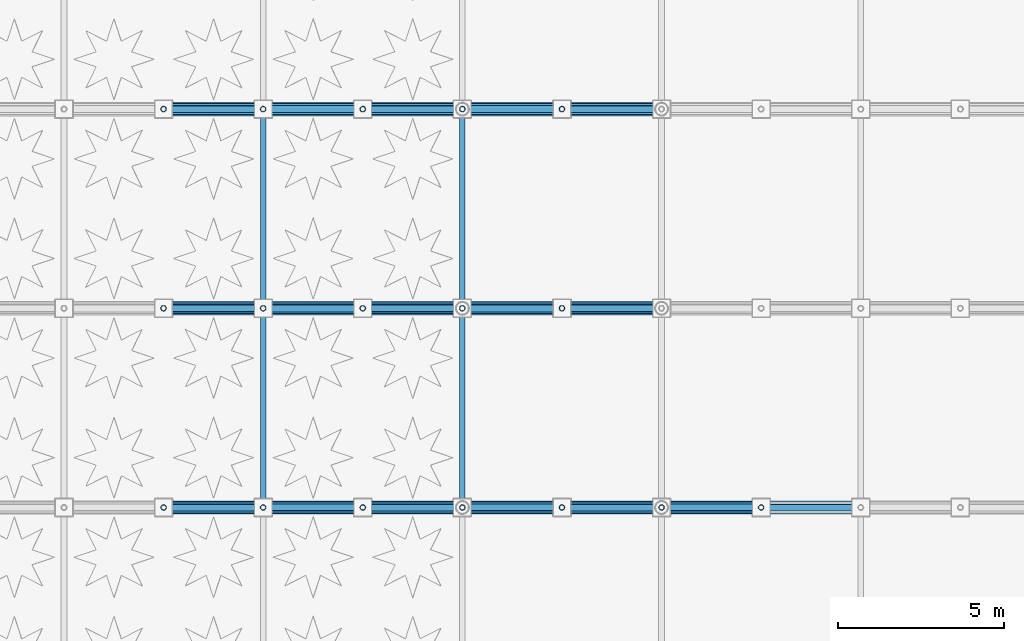
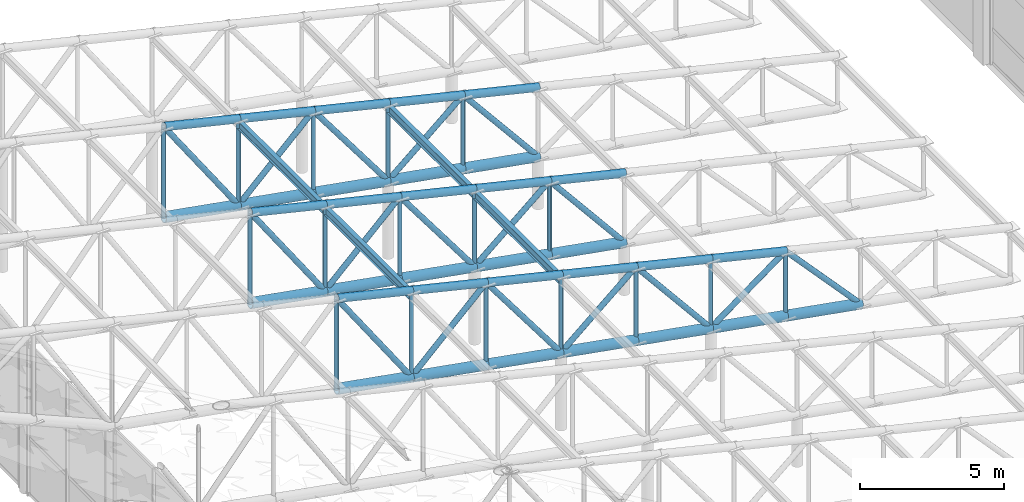
# One storey, part 64 of 112: 67 members, 4 beams.
"""IFC4 building model written with IfcOpenShell, lengths in metres."""

from ifc_helpers import new_model, si_unit, direction, frame, origin, origin_2d, place, context, subcontext, project, spatial, hollow_circle, i_section, extrude, material, material_profile, profile_set, type_object, element, save


model = new_model("IFC4")

# Units and contexts
model_context = context("Model", 3, precision=1e-05, world=origin(), true_north=direction((0.0, 1.0)))
body_context = subcontext(model_context, "Body", "Model", "MODEL_VIEW")
ifc_project = project(units=[si_unit("LENGTHUNIT", "METRE"), si_unit("AREAUNIT", "SQUARE_METRE"), si_unit("VOLUMEUNIT", "CUBIC_METRE"), si_unit("PLANEANGLEUNIT", "RADIAN"), si_unit("MASSUNIT", "GRAM", prefix="KILO"), si_unit("THERMODYNAMICTEMPERATUREUNIT", "KELVIN"), si_unit("POWERUNIT", "WATT")], contexts=[model_context])

# Site, building, storey
site_placement = place(None, origin())
site = spatial("IfcSite", under=ifc_project, at=site_placement, CompositionType="ELEMENT")
building_placement = place(site_placement, origin())
building = spatial("IfcBuilding", under=site, at=building_placement, Name="Phaisarnlok Congress Hotel", CompositionType="ELEMENT")
storey_placement = place(building_placement, frame((0.0, 0.0, 19.800048828125)))
storey = spatial("IfcBuildingStorey", under=building, at=storey_placement, Name="L04", CompositionType="ELEMENT", Elevation=19.800048828125)

# Beams
ifc_material = material(Name="Steel S355", Category="steel")
ifc_material_profile_1 = material_profile(ifc_material, i_section(OverallWidth=0.169921875, OverallDepth=0.360107421875, WebThickness=0.008056640625, FlangeThickness=0.0126953125, FilletRadius=0.01806640625, at=origin_2d()), Name="IPE 360")
ifc_profile_set_1 = profile_set([ifc_material_profile_1], Name="Steel S355")
beam_type = type_object("IfcBeamType", Name="JS-STL-IPE360", PredefinedType="JOIST", material=ifc_profile_set_1)
for number, where, z_axis, x_axis, name in (
    (1, (138.0, 66.0, 6.30419921875), (0.0, 1.0, 0.0), (-1.0, 0.0, 0.0), "Cloister wing roof purlin"),
    (2, (132.0, 66.0, 7.736328125), (0.0, 1.0, 0.0), (-1.0, 0.0, 0.0), "Cloister wing roof purlin"),
    (3, (138.0, 72.0, 6.30419921875), (0.0, 1.0, 0.0), (-1.0, 0.0, 0.0), "Cloister wing roof purlin"),
    (4, (132.0, 72.0, 7.736328125), (0.0, 1.0, 0.0), (-1.0, 0.0, 0.0), "Cloister wing roof purlin"),
):
    element("IfcBeam", number, at=place(storey_placement, frame(where, z_axis=z_axis, x_axis=x_axis)), inside=storey, type_object=beam_type, Name=name, PredefinedType="JOIST", context=body_context, shape_type="SweptSolid", body=[
        extrude(i_section(OverallWidth=0.169921875, OverallDepth=0.360107421875, WebThickness=0.008056640625, FlangeThickness=0.0126953125, FilletRadius=0.01806640625, at=origin_2d()), origin(), (0.0, 0.0, 1.0), 6.0),
    ])

# Members
ifc_material_profile_2 = material_profile(ifc_material, hollow_circle(Radius=0.084228515625, WallThickness=0.010009765625, at=origin_2d()), Name="CHS 168.3x10")
ifc_profile_set_2 = profile_set([ifc_material_profile_2], Name="Steel S355")
member_type_1 = type_object("IfcMemberType", Name="MEM-BRC-CHS168", PredefinedType="BRACE", material=ifc_profile_set_2)
member_1_placement = place(storey_placement, frame((147.0, 66.0, 1.599853515625), z_axis=(0.0, 0.0, 1.0), x_axis=(1.0, 0.0, 0.0)))
element("IfcMember", 5, at=member_1_placement, inside=storey, type_object=member_type_1, Name="Cloister wing roof truss vertical web", PredefinedType="BRACE", context=body_context, shape_type="SweptSolid", body=[
    extrude(hollow_circle(Radius=0.084228515625, WallThickness=0.010009765625, at=origin_2d()), origin(), (0.0, 0.0, 1.0), 2.748291015625),
])
member_2_placement = place(storey_placement, frame((144.0, 66.0, 2.13330078125), z_axis=(0.0, 0.0, 1.0), x_axis=(1.0, 0.0, 0.0)))
element("IfcMember", 6, at=member_2_placement, inside=storey, type_object=member_type_1, Name="Cloister wing roof truss vertical web", PredefinedType="BRACE", context=body_context, shape_type="SweptSolid", body=[
    extrude(hollow_circle(Radius=0.084228515625, WallThickness=0.010009765625, at=origin_2d()), origin(), (0.0, 0.0, 1.0), 2.930908203125),
])
member_3_placement = place(storey_placement, frame((141.0, 66.0, 2.66650390625), z_axis=(0.0, 0.0, 1.0), x_axis=(1.0, 0.0, 0.0)))
element("IfcMember", 7, at=member_3_placement, inside=storey, type_object=member_type_1, Name="Cloister wing roof truss vertical web", PredefinedType="BRACE", context=body_context, shape_type="SweptSolid", body=[
    extrude(hollow_circle(Radius=0.084228515625, WallThickness=0.010009765625, at=origin_2d()), origin(), (0.0, 0.0, 1.0), 3.11376953125),
])
member_4_placement = place(storey_placement, frame((138.0, 66.0, 3.199951171875), z_axis=(0.0, 0.0, 1.0), x_axis=(1.0, 0.0, 0.0)))
element("IfcMember", 8, at=member_4_placement, inside=storey, type_object=member_type_1, Name="Cloister wing roof truss vertical web", PredefinedType="BRACE", context=body_context, shape_type="SweptSolid", body=[
    extrude(hollow_circle(Radius=0.084228515625, WallThickness=0.010009765625, at=origin_2d()), origin(), (0.0, 0.0, 1.0), 3.29638671875),
])
member_5_placement = place(storey_placement, frame((135.0, 66.0, 3.7333984375), z_axis=(0.0, 0.0, 1.0), x_axis=(1.0, 0.0, 0.0)))
element("IfcMember", 9, at=member_5_placement, inside=storey, type_object=member_type_1, Name="Cloister wing roof truss vertical web", PredefinedType="BRACE", context=body_context, shape_type="SweptSolid", body=[
    extrude(hollow_circle(Radius=0.084228515625, WallThickness=0.010009765625, at=origin_2d()), origin(), (0.0, 0.0, 1.0), 3.47900390625),
])
member_6_placement = place(storey_placement, frame((132.0, 66.0, 4.2666015625), z_axis=(0.0, 0.0, 1.0), x_axis=(1.0, 0.0, 0.0)))
element("IfcMember", 10, at=member_6_placement, inside=storey, type_object=member_type_1, Name="Cloister wing roof truss vertical web", PredefinedType="BRACE", context=body_context, shape_type="SweptSolid", body=[
    extrude(hollow_circle(Radius=0.084228515625, WallThickness=0.010009765625, at=origin_2d()), origin(), (0.0, 0.0, 1.0), 3.661865234375),
])
member_7_placement = place(storey_placement, frame((129.0, 66.0, 4.800048828125), z_axis=(0.0, 0.0, 1.0), x_axis=(1.0, 0.0, 0.0)))
element("IfcMember", 11, at=member_7_placement, inside=storey, type_object=member_type_1, Name="Cloister wing roof truss vertical web", PredefinedType="BRACE", context=body_context, shape_type="SweptSolid", body=[
    extrude(hollow_circle(Radius=0.084228515625, WallThickness=0.010009765625, at=origin_2d()), origin(), (0.0, 0.0, 1.0), 3.84423828125),
])
member_8_placement = place(storey_placement, frame((141.0, 72.0, 2.66650390625), z_axis=(0.0, 0.0, 1.0), x_axis=(1.0, 0.0, 0.0)))
element("IfcMember", 12, at=member_8_placement, inside=storey, type_object=member_type_1, Name="Cloister wing roof truss vertical web", PredefinedType="BRACE", context=body_context, shape_type="SweptSolid", body=[
    extrude(hollow_circle(Radius=0.084228515625, WallThickness=0.010009765625, at=origin_2d()), origin(), (0.0, 0.0, 1.0), 3.11376953125),
])
member_9_placement = place(storey_placement, frame((138.0, 72.0, 3.199951171875), z_axis=(0.0, 0.0, 1.0), x_axis=(1.0, 0.0, 0.0)))
element("IfcMember", 13, at=member_9_placement, inside=storey, type_object=member_type_1, Name="Cloister wing roof truss vertical web", PredefinedType="BRACE", context=body_context, shape_type="SweptSolid", body=[
    extrude(hollow_circle(Radius=0.084228515625, WallThickness=0.010009765625, at=origin_2d()), origin(), (0.0, 0.0, 1.0), 3.29638671875),
])
member_10_placement = place(storey_placement, frame((135.0, 72.0, 3.7333984375), z_axis=(0.0, 0.0, 1.0), x_axis=(1.0, 0.0, 0.0)))
element("IfcMember", 14, at=member_10_placement, inside=storey, type_object=member_type_1, Name="Cloister wing roof truss vertical web", PredefinedType="BRACE", context=body_context, shape_type="SweptSolid", body=[
    extrude(hollow_circle(Radius=0.084228515625, WallThickness=0.010009765625, at=origin_2d()), origin(), (0.0, 0.0, 1.0), 3.47900390625),
])
member_11_placement = place(storey_placement, frame((132.0, 72.0, 4.2666015625), z_axis=(0.0, 0.0, 1.0), x_axis=(1.0, 0.0, 0.0)))
element("IfcMember", 15, at=member_11_placement, inside=storey, type_object=member_type_1, Name="Cloister wing roof truss vertical web", PredefinedType="BRACE", context=body_context, shape_type="SweptSolid", body=[
    extrude(hollow_circle(Radius=0.084228515625, WallThickness=0.010009765625, at=origin_2d()), origin(), (0.0, 0.0, 1.0), 3.661865234375),
])
member_12_placement = place(storey_placement, frame((129.0, 72.0, 4.800048828125), z_axis=(0.0, 0.0, 1.0), x_axis=(1.0, 0.0, 0.0)))
element("IfcMember", 16, at=member_12_placement, inside=storey, type_object=member_type_1, Name="Cloister wing roof truss vertical web", PredefinedType="BRACE", context=body_context, shape_type="SweptSolid", body=[
    extrude(hollow_circle(Radius=0.084228515625, WallThickness=0.010009765625, at=origin_2d()), origin(), (0.0, 0.0, 1.0), 3.84423828125),
])
member_13_placement = place(storey_placement, frame((141.0, 78.0, 2.66650390625), z_axis=(0.0, 0.0, 1.0), x_axis=(1.0, 0.0, 0.0)))
element("IfcMember", 17, at=member_13_placement, inside=storey, type_object=member_type_1, Name="Cloister wing roof truss vertical web", PredefinedType="BRACE", context=body_context, shape_type="SweptSolid", body=[
    extrude(hollow_circle(Radius=0.084228515625, WallThickness=0.010009765625, at=origin_2d()), origin(), (0.0, 0.0, 1.0), 3.11376953125),
])
member_14_placement = place(storey_placement, frame((138.0, 78.0, 3.199951171875), z_axis=(0.0, 0.0, 1.0), x_axis=(1.0, 0.0, 0.0)))
element("IfcMember", 18, at=member_14_placement, inside=storey, type_object=member_type_1, Name="Cloister wing roof truss vertical web", PredefinedType="BRACE", context=body_context, shape_type="SweptSolid", body=[
    extrude(hollow_circle(Radius=0.084228515625, WallThickness=0.010009765625, at=origin_2d()), origin(), (0.0, 0.0, 1.0), 3.29638671875),
])
member_15_placement = place(storey_placement, frame((135.0, 78.0, 3.7333984375), z_axis=(0.0, 0.0, 1.0), x_axis=(1.0, 0.0, 0.0)))
element("IfcMember", 19, at=member_15_placement, inside=storey, type_object=member_type_1, Name="Cloister wing roof truss vertical web", PredefinedType="BRACE", context=body_context, shape_type="SweptSolid", body=[
    extrude(hollow_circle(Radius=0.084228515625, WallThickness=0.010009765625, at=origin_2d()), origin(), (0.0, 0.0, 1.0), 3.47900390625),
])
member_16_placement = place(storey_placement, frame((132.0, 78.0, 4.2666015625), z_axis=(0.0, 0.0, 1.0), x_axis=(1.0, 0.0, 0.0)))
element("IfcMember", 20, at=member_16_placement, inside=storey, type_object=member_type_1, Name="Cloister wing roof truss vertical web", PredefinedType="BRACE", context=body_context, shape_type="SweptSolid", body=[
    extrude(hollow_circle(Radius=0.084228515625, WallThickness=0.010009765625, at=origin_2d()), origin(), (0.0, 0.0, 1.0), 3.661865234375),
])
member_17_placement = place(storey_placement, frame((129.0, 78.0, 4.800048828125), z_axis=(0.0, 0.0, 1.0), x_axis=(1.0, 0.0, 0.0)))
element("IfcMember", 21, at=member_17_placement, inside=storey, type_object=member_type_1, Name="Cloister wing roof truss vertical web", PredefinedType="BRACE", context=body_context, shape_type="SweptSolid", body=[
    extrude(hollow_circle(Radius=0.084228515625, WallThickness=0.010009765625, at=origin_2d()), origin(), (0.0, 0.0, 1.0), 3.84423828125),
])
ifc_material_profile_3 = material_profile(ifc_material, hollow_circle(Radius=0.109619140625, WallThickness=0.012451171875, at=origin_2d()), Name="CHS 219.1x12.5")
ifc_profile_set_3 = profile_set([ifc_material_profile_3], Name="Steel S355")
member_type_2 = type_object("IfcMemberType", Name="MEM-BRC-CHS219", PredefinedType="BRACE", material=ifc_profile_set_3)
member_18_placement = place(storey_placement, frame((150.0, 66.0, 1.066650390625), z_axis=(-0.674741853636, 0.0, 0.738053813046), x_axis=(0.0, -1.0, 0.0)))
element("IfcMember", 22, at=member_18_placement, inside=storey, type_object=member_type_2, Name="Cloister wing roof truss diagonal brace", PredefinedType="BRACE", context=body_context, shape_type="SweptSolid", body=[
    extrude(hollow_circle(Radius=0.109619140625, WallThickness=0.012451171875, at=origin_2d()), origin(), (0.0, 0.0, 1.0), 4.446044921875),
])
member_19_placement = place(storey_placement, frame((144.0, 66.0, 2.13330078125), z_axis=(0.804502572665, 0.0, 0.593949164975), x_axis=(0.0, 1.0, 0.0)))
element("IfcMember", 23, at=member_19_placement, inside=storey, type_object=member_type_2, Name="Cloister wing roof truss diagonal brace", PredefinedType="BRACE", context=body_context, shape_type="SweptSolid", body=[
    extrude(hollow_circle(Radius=0.109619140625, WallThickness=0.012451171875, at=origin_2d()), origin(), (0.0, 0.0, 1.0), 3.72900390625),
])
member_20_placement = place(storey_placement, frame((144.0, 66.0, 2.13330078125), z_axis=(-0.635279491177, 0.0, 0.772282311133), x_axis=(0.0, -1.0, 0.0)))
element("IfcMember", 24, at=member_20_placement, inside=storey, type_object=member_type_2, Name="Cloister wing roof truss diagonal brace", PredefinedType="BRACE", context=body_context, shape_type="SweptSolid", body=[
    extrude(hollow_circle(Radius=0.109619140625, WallThickness=0.012451171875, at=origin_2d()), origin(), (0.0, 0.0, 1.0), 4.722412109375),
])
member_21_placement = place(storey_placement, frame((138.0, 66.0, 3.199951171875), z_axis=(0.758144932989, 0.0, 0.652086083721), x_axis=(0.0, 1.0, 0.0)))
element("IfcMember", 25, at=member_21_placement, inside=storey, type_object=member_type_2, Name="Cloister wing roof truss diagonal brace", PredefinedType="BRACE", context=body_context, shape_type="SweptSolid", body=[
    extrude(hollow_circle(Radius=0.109619140625, WallThickness=0.012451171875, at=origin_2d()), origin(), (0.0, 0.0, 1.0), 3.95703125),
])
member_22_placement = place(storey_placement, frame((138.0, 66.0, 3.199951171875), z_axis=(-0.598806398303, 0.0, 0.800893811533), x_axis=(0.0, -1.0, 0.0)))
element("IfcMember", 26, at=member_22_placement, inside=storey, type_object=member_type_2, Name="Cloister wing roof truss diagonal brace", PredefinedType="BRACE", context=body_context, shape_type="SweptSolid", body=[
    extrude(hollow_circle(Radius=0.109619140625, WallThickness=0.012451171875, at=origin_2d()), origin(), (0.0, 0.0, 1.0), 5.010009765625),
])
member_23_placement = place(storey_placement, frame((132.0, 66.0, 4.2666015625), z_axis=(0.713522801545, 0.0, 0.700632008743), x_axis=(0.0, 1.0, 0.0)))
element("IfcMember", 27, at=member_23_placement, inside=storey, type_object=member_type_2, Name="Cloister wing roof truss diagonal brace", PredefinedType="BRACE", context=body_context, shape_type="SweptSolid", body=[
    extrude(hollow_circle(Radius=0.109619140625, WallThickness=0.012451171875, at=origin_2d()), origin(), (0.0, 0.0, 1.0), 4.20458984375),
])
member_24_placement = place(storey_placement, frame((132.0, 66.0, 4.2666015625), z_axis=(-0.565292311671, 0.0, 0.824890660855), x_axis=(0.0, -1.0, 0.0)))
element("IfcMember", 28, at=member_24_placement, inside=storey, type_object=member_type_2, Name="Cloister wing roof truss diagonal brace", PredefinedType="BRACE", context=body_context, shape_type="SweptSolid", body=[
    extrude(hollow_circle(Radius=0.109619140625, WallThickness=0.012451171875, at=origin_2d()), origin(), (0.0, 0.0, 1.0), 5.306884765625),
])
member_25_placement = place(storey_placement, frame((144.0, 72.0, 2.13330078125), z_axis=(-0.635279491177, 0.0, 0.772282311133), x_axis=(0.0, -1.0, 0.0)))
element("IfcMember", 29, at=member_25_placement, inside=storey, type_object=member_type_2, Name="Cloister wing roof truss diagonal brace", PredefinedType="BRACE", context=body_context, shape_type="SweptSolid", body=[
    extrude(hollow_circle(Radius=0.109619140625, WallThickness=0.012451171875, at=origin_2d()), origin(), (0.0, 0.0, 1.0), 4.722412109375),
])
member_26_placement = place(storey_placement, frame((138.0, 72.0, 3.199951171875), z_axis=(0.758144932989, 0.0, 0.652086083721), x_axis=(0.0, 1.0, 0.0)))
element("IfcMember", 30, at=member_26_placement, inside=storey, type_object=member_type_2, Name="Cloister wing roof truss diagonal brace", PredefinedType="BRACE", context=body_context, shape_type="SweptSolid", body=[
    extrude(hollow_circle(Radius=0.109619140625, WallThickness=0.012451171875, at=origin_2d()), origin(), (0.0, 0.0, 1.0), 3.95703125),
])
member_27_placement = place(storey_placement, frame((138.0, 72.0, 3.199951171875), z_axis=(-0.598806398303, 0.0, 0.800893811533), x_axis=(0.0, -1.0, 0.0)))
element("IfcMember", 31, at=member_27_placement, inside=storey, type_object=member_type_2, Name="Cloister wing roof truss diagonal brace", PredefinedType="BRACE", context=body_context, shape_type="SweptSolid", body=[
    extrude(hollow_circle(Radius=0.109619140625, WallThickness=0.012451171875, at=origin_2d()), origin(), (0.0, 0.0, 1.0), 5.010009765625),
])
member_28_placement = place(storey_placement, frame((132.0, 72.0, 4.2666015625), z_axis=(0.713522801545, 0.0, 0.700632008743), x_axis=(0.0, 1.0, 0.0)))
element("IfcMember", 32, at=member_28_placement, inside=storey, type_object=member_type_2, Name="Cloister wing roof truss diagonal brace", PredefinedType="BRACE", context=body_context, shape_type="SweptSolid", body=[
    extrude(hollow_circle(Radius=0.109619140625, WallThickness=0.012451171875, at=origin_2d()), origin(), (0.0, 0.0, 1.0), 4.20458984375),
])
member_29_placement = place(storey_placement, frame((132.0, 72.0, 4.2666015625), z_axis=(-0.565292311671, 0.0, 0.824890660855), x_axis=(0.0, -1.0, 0.0)))
element("IfcMember", 33, at=member_29_placement, inside=storey, type_object=member_type_2, Name="Cloister wing roof truss diagonal brace", PredefinedType="BRACE", context=body_context, shape_type="SweptSolid", body=[
    extrude(hollow_circle(Radius=0.109619140625, WallThickness=0.012451171875, at=origin_2d()), origin(), (0.0, 0.0, 1.0), 5.306884765625),
])
member_30_placement = place(storey_placement, frame((144.0, 78.0, 2.13330078125), z_axis=(-0.635279491177, 0.0, 0.772282311133), x_axis=(0.0, -1.0, 0.0)))
element("IfcMember", 34, at=member_30_placement, inside=storey, type_object=member_type_2, Name="Cloister wing roof truss diagonal brace", PredefinedType="BRACE", context=body_context, shape_type="SweptSolid", body=[
    extrude(hollow_circle(Radius=0.109619140625, WallThickness=0.012451171875, at=origin_2d()), origin(), (0.0, 0.0, 1.0), 4.722412109375),
])
member_31_placement = place(storey_placement, frame((138.0, 78.0, 3.199951171875), z_axis=(0.758144932989, 0.0, 0.652086083721), x_axis=(0.0, 1.0, 0.0)))
element("IfcMember", 35, at=member_31_placement, inside=storey, type_object=member_type_2, Name="Cloister wing roof truss diagonal brace", PredefinedType="BRACE", context=body_context, shape_type="SweptSolid", body=[
    extrude(hollow_circle(Radius=0.109619140625, WallThickness=0.012451171875, at=origin_2d()), origin(), (0.0, 0.0, 1.0), 3.95703125),
])
member_32_placement = place(storey_placement, frame((138.0, 78.0, 3.199951171875), z_axis=(-0.598806398303, 0.0, 0.800893811533), x_axis=(0.0, -1.0, 0.0)))
element("IfcMember", 36, at=member_32_placement, inside=storey, type_object=member_type_2, Name="Cloister wing roof truss diagonal brace", PredefinedType="BRACE", context=body_context, shape_type="SweptSolid", body=[
    extrude(hollow_circle(Radius=0.109619140625, WallThickness=0.012451171875, at=origin_2d()), origin(), (0.0, 0.0, 1.0), 5.010009765625),
])
member_33_placement = place(storey_placement, frame((132.0, 78.0, 4.2666015625), z_axis=(0.713522801545, 0.0, 0.700632008743), x_axis=(0.0, 1.0, 0.0)))
element("IfcMember", 37, at=member_33_placement, inside=storey, type_object=member_type_2, Name="Cloister wing roof truss diagonal brace", PredefinedType="BRACE", context=body_context, shape_type="SweptSolid", body=[
    extrude(hollow_circle(Radius=0.109619140625, WallThickness=0.012451171875, at=origin_2d()), origin(), (0.0, 0.0, 1.0), 4.20458984375),
])
member_34_placement = place(storey_placement, frame((132.0, 78.0, 4.2666015625), z_axis=(-0.565292311671, 0.0, 0.824890660855), x_axis=(0.0, -1.0, 0.0)))
element("IfcMember", 38, at=member_34_placement, inside=storey, type_object=member_type_2, Name="Cloister wing roof truss diagonal brace", PredefinedType="BRACE", context=body_context, shape_type="SweptSolid", body=[
    extrude(hollow_circle(Radius=0.109619140625, WallThickness=0.012451171875, at=origin_2d()), origin(), (0.0, 0.0, 1.0), 5.306884765625),
])
ifc_material_profile_4 = material_profile(ifc_material, hollow_circle(Radius=0.161865234375, WallThickness=0.01611328125, at=origin_2d()), Name="CHS 323.9x16")
ifc_profile_set_4 = profile_set([ifc_material_profile_4], Name="Steel S355")
member_type_3 = type_object("IfcMemberType", Name="MEM-CHD-CHS324", PredefinedType="CHORD", material=ifc_profile_set_4)
for number, where, z_axis, x_axis, name in (
    (39, (147.0, 66.0, 4.34814453125), (-0.972676115692, 0.0, 0.232166263617), (0.0, -1.0, 0.0), "Cloister wing roof truss top chord"),
    (40, (144.0, 66.0, 5.064208984375), (-0.972676115692, 0.0, 0.232166263617), (0.0, -1.0, 0.0), "Cloister wing roof truss top chord"),
    (41, (141.0, 66.0, 5.7802734375), (-0.972676115692, 0.0, 0.232166263617), (0.0, -1.0, 0.0), "Cloister wing roof truss top chord"),
    (42, (138.0, 66.0, 6.496337890625), (-0.972676115692, 0.0, 0.232166263617), (0.0, -1.0, 0.0), "Cloister wing roof truss top chord"),
    (43, (135.0, 66.0, 7.21240234375), (-0.972676115692, 0.0, 0.232166263617), (0.0, -1.0, 0.0), "Cloister wing roof truss top chord"),
    (44, (132.0, 66.0, 7.928466796875), (-0.972693988482, 0.0, 0.232091371601), (0.0, -1.0, 0.0), "Cloister wing roof truss top chord"),
    (45, (144.0, 72.0, 5.064208984375), (-0.972676115692, 0.0, 0.232166263617), (0.0, -1.0, 0.0), "Cloister wing roof truss top chord"),
    (46, (141.0, 72.0, 5.7802734375), (-0.972676115692, 0.0, 0.232166263617), (0.0, -1.0, 0.0), "Cloister wing roof truss top chord"),
    (47, (138.0, 72.0, 6.496337890625), (-0.972676115692, 0.0, 0.232166263617), (0.0, -1.0, 0.0), "Cloister wing roof truss top chord"),
    (48, (135.0, 72.0, 7.21240234375), (-0.972676115692, 0.0, 0.232166263617), (0.0, -1.0, 0.0), "Cloister wing roof truss top chord"),
    (49, (132.0, 72.0, 7.928466796875), (-0.972693988482, 0.0, 0.232091371601), (0.0, -1.0, 0.0), "Cloister wing roof truss top chord"),
    (50, (144.0, 78.0, 5.064208984375), (-0.972676115692, 0.0, 0.232166263617), (0.0, -1.0, 0.0), "Cloister wing roof truss top chord"),
    (51, (141.0, 78.0, 5.7802734375), (-0.972676115692, 0.0, 0.232166263617), (0.0, -1.0, 0.0), "Cloister wing roof truss top chord"),
    (52, (138.0, 78.0, 6.496337890625), (-0.972676115692, 0.0, 0.232166263617), (0.0, -1.0, 0.0), "Cloister wing roof truss top chord"),
    (53, (135.0, 78.0, 7.21240234375), (-0.972676115692, 0.0, 0.232166263617), (0.0, -1.0, 0.0), "Cloister wing roof truss top chord"),
    (54, (132.0, 78.0, 7.928466796875), (-0.972693988482, 0.0, 0.232091371601), (0.0, -1.0, 0.0), "Cloister wing roof truss top chord"),
):
    element("IfcMember", number, at=place(storey_placement, frame(where, z_axis=z_axis, x_axis=x_axis)), inside=storey, type_object=member_type_3, Name=name, PredefinedType="CHORD", context=body_context, shape_type="SweptSolid", body=[
        extrude(hollow_circle(Radius=0.161865234375, WallThickness=0.01611328125, at=origin_2d()), origin(), (0.0, 0.0, 1.0), 3.084228515625),
    ])
ifc_material_profile_5 = material_profile(ifc_material, hollow_circle(Radius=0.203125, WallThickness=0.02001953125, at=origin_2d()), Name="CHS 406.4x20")
ifc_profile_set_5 = profile_set([ifc_material_profile_5], Name="Steel S355")
member_type_4 = type_object("IfcMemberType", Name="MEM-CHD-CHS406", PredefinedType="CHORD", material=ifc_profile_set_5)
for number, where, z_axis, x_axis, name in (
    (55, (150.0, 66.0, 1.066650390625), (-0.984569871158, 0.0, 0.174991910694), (0.0, -1.0, 0.0), "Cloister wing roof truss bottom chord"),
    (56, (147.0, 66.0, 1.599853515625), (-0.984556063496, 0.0, 0.175069579976), (0.0, -1.0, 0.0), "Cloister wing roof truss bottom chord"),
    (57, (144.0, 66.0, 2.13330078125), (-0.984569871158, 0.0, 0.174991910694), (0.0, -1.0, 0.0), "Cloister wing roof truss bottom chord"),
    (58, (141.0, 66.0, 2.66650390625), (-0.984556063496, 0.0, 0.175069579976), (0.0, -1.0, 0.0), "Cloister wing roof truss bottom chord"),
    (59, (138.0, 66.0, 3.199951171875), (-0.984556063496, 0.0, 0.175069579976), (0.0, -1.0, 0.0), "Cloister wing roof truss bottom chord"),
    (60, (135.0, 66.0, 3.7333984375), (-0.984569871158, 0.0, 0.174991910694), (0.0, -1.0, 0.0), "Cloister wing roof truss bottom chord"),
    (61, (132.0, 66.0, 4.2666015625), (-0.984556063496, 0.0, 0.175069579976), (0.0, -1.0, 0.0), "Cloister wing roof truss bottom chord"),
    (62, (144.0, 72.0, 2.13330078125), (-0.984569871158, 0.0, 0.174991910694), (0.0, -1.0, 0.0), "Cloister wing roof truss bottom chord"),
    (63, (141.0, 72.0, 2.66650390625), (-0.984556063496, 0.0, 0.175069579976), (0.0, -1.0, 0.0), "Cloister wing roof truss bottom chord"),
    (64, (138.0, 72.0, 3.199951171875), (-0.984556063496, 0.0, 0.175069579976), (0.0, -1.0, 0.0), "Cloister wing roof truss bottom chord"),
    (65, (135.0, 72.0, 3.7333984375), (-0.984569871158, 0.0, 0.174991910694), (0.0, -1.0, 0.0), "Cloister wing roof truss bottom chord"),
    (66, (132.0, 72.0, 4.2666015625), (-0.984556063496, 0.0, 0.175069579976), (0.0, -1.0, 0.0), "Cloister wing roof truss bottom chord"),
    (67, (144.0, 78.0, 2.13330078125), (-0.984569871158, 0.0, 0.174991910694), (0.0, -1.0, 0.0), "Cloister wing roof truss bottom chord"),
    (68, (141.0, 78.0, 2.66650390625), (-0.984556063496, 0.0, 0.175069579976), (0.0, -1.0, 0.0), "Cloister wing roof truss bottom chord"),
    (69, (138.0, 78.0, 3.199951171875), (-0.984556063496, 0.0, 0.175069579976), (0.0, -1.0, 0.0), "Cloister wing roof truss bottom chord"),
    (70, (135.0, 78.0, 3.7333984375), (-0.984569871158, 0.0, 0.174991910694), (0.0, -1.0, 0.0), "Cloister wing roof truss bottom chord"),
    (71, (132.0, 78.0, 4.2666015625), (-0.984556063496, 0.0, 0.175069579976), (0.0, -1.0, 0.0), "Cloister wing roof truss bottom chord"),
):
    element("IfcMember", number, at=place(storey_placement, frame(where, z_axis=z_axis, x_axis=x_axis)), inside=storey, type_object=member_type_4, Name=name, PredefinedType="CHORD", context=body_context, shape_type="SweptSolid", body=[
        extrude(hollow_circle(Radius=0.203125, WallThickness=0.02001953125, at=origin_2d()), origin(), (0.0, 0.0, 1.0), 3.047119140625),
    ])

save(model, "model.ifc")
